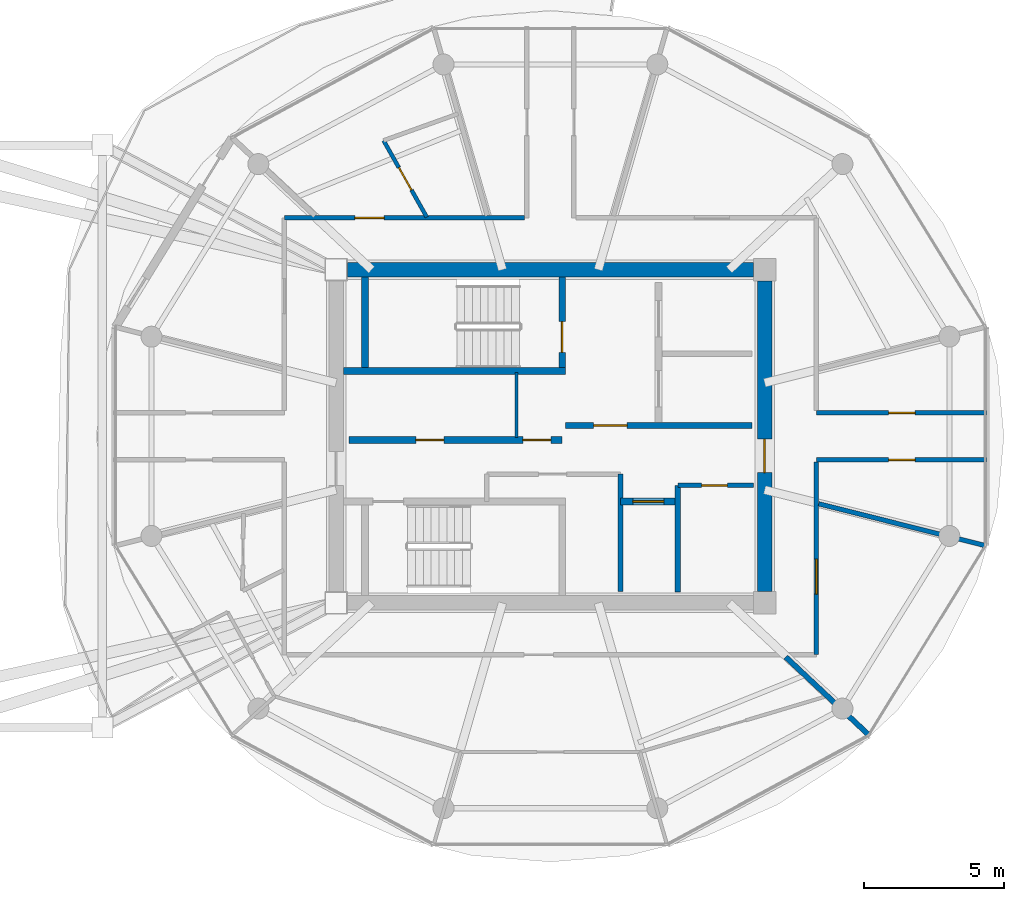
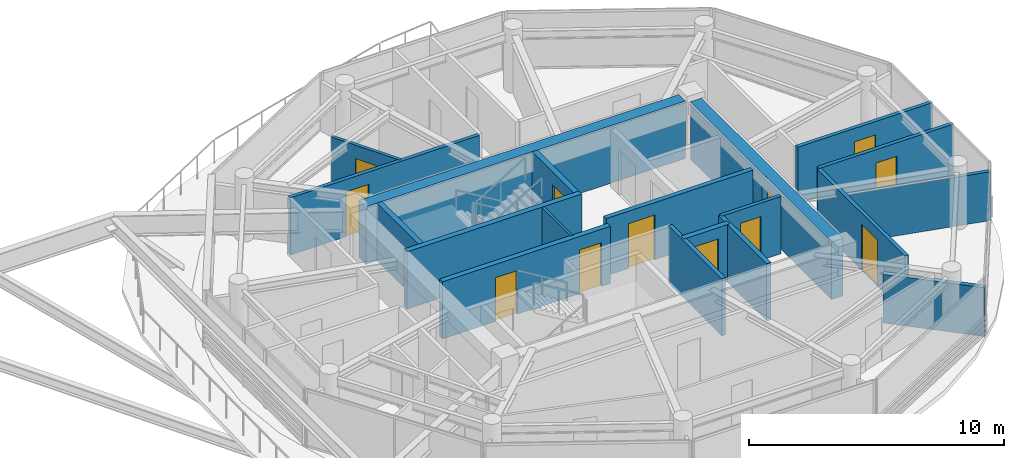
# One storey, part 17 of 23: 19 walls, 12 doors, 12 openings.
"""IFC4 building model written with IfcOpenShell, lengths in metres."""

from ifc_helpers import new_model, si_unit, direction, frame, frame_2d, origin, place, context, subcontext, project, spatial, rectangle, extrude, source, transform, mapped, material, layer, layer_set, type_object, type_shapes, element, fill, save


model = new_model("IFC4")

# Units and contexts
model_context = context("Model", 3, precision=1e-05, world=origin(), true_north=direction((0.0, 1.0)))
body_context = subcontext(model_context, "Body", "Model", "MODEL_VIEW")
ifc_project = project(units=[si_unit("LENGTHUNIT", "METRE"), si_unit("AREAUNIT", "SQUARE_METRE"), si_unit("VOLUMEUNIT", "CUBIC_METRE"), si_unit("PLANEANGLEUNIT", "RADIAN"), si_unit("MASSUNIT", "GRAM", prefix="KILO")], contexts=[model_context])

# Site, building, storey
site_placement = place(None, origin())
site = spatial("IfcSite", under=ifc_project, at=site_placement, CompositionType="ELEMENT")
building_placement = place(site_placement, origin())
building = spatial("IfcBuilding", under=site, at=building_placement, Name="Norrkilde Senior Care Towers", CompositionType="ELEMENT")
storey_placement = place(building_placement, frame((0.0, 0.0, 196.75)))
storey = spatial("IfcBuildingStorey", under=building, at=storey_placement, Name="L61", CompositionType="ELEMENT", Elevation=196.75)

# Wall
ifc_material_1 = material(Name="Concrete C50/60", Category="concrete")
ifc_layer_1 = layer(ifc_material_1, 0.52001953125)
ifc_layer_set_1 = layer_set([ifc_layer_1], Name="Concrete C50/60")
wall_type_1 = type_object("IfcWallType", Name="Core Shear Wall Z4 520", PredefinedType="SHEAR", material=ifc_layer_set_1)
shared_shape_1 = source(origin(), body_context, "Body", "SweptSolid", [
    extrude(rectangle(XDim=14.5, YDim=0.52001953125, at=frame_2d((7.25, 0.0))), origin(), (0.0, 0.0, 1.0), 2.760009765625),
])
wall_1_placement = place(storey_placement, frame((20.75, 5.949951171875, 0.0), z_axis=(0.0, 0.0, 1.0), x_axis=(1.0, 0.0, 0.0)))
element("IfcWall", 1, at=wall_1_placement, inside=storey, type_object=wall_type_1, Name="L61 Core E North Shear Wall", PredefinedType="SHEAR", context=body_context, shape_type="MappedRepresentation", body=[
    mapped(shared_shape_1, transform((0.0, 0.0, 0.0), x_axis=(1.0, 0.0, 0.0), y_axis=(0.0, 1.0, 0.0), z_axis=(0.0, 0.0, 1.0), scale=1.0)),
])

# Wall, opening, door
shared_shape_2 = source(origin(), body_context, "Body", "SweptSolid", [
    extrude(rectangle(XDim=11.10009765625, YDim=0.52001953125, at=frame_2d((5.550048828125, 0.0))), origin(), (0.0, 0.0, 1.0), 2.760009765625),
])
type_shapes(wall_type_1, [shared_shape_1, shared_shape_2])
wall_2_placement = place(storey_placement, frame((35.64990234375, 5.550048828125, 0.0), z_axis=(0.0, 0.0, 1.0), x_axis=(0.0, -1.0, 0.0)))
wall_2 = element("IfcWall", 2, at=wall_2_placement, inside=storey, type_object=wall_type_1, Name="L61 Core E East Shear Wall", PredefinedType="SHEAR", context=body_context, shape_type="MappedRepresentation", body=[
    mapped(shared_shape_2, transform((0.0, 0.0, 0.0), x_axis=(1.0, 0.0, 0.0), y_axis=(0.0, 1.0, 0.0), z_axis=(0.0, 0.0, 1.0), scale=1.0)),
])
opening_1_placement = place(wall_2_placement, frame((5.64990234375, 0.0, 0.0)))
opening_1 = element("IfcOpeningElement", 3, at=opening_1_placement, cuts=wall_2, Name="Opening D-04", PredefinedType="OPENING", context=body_context, shape_type="SweptSolid", body=[
    extrude(rectangle(XDim=1.199951171875, YDim=2.14990234375, at=frame_2d((0.60009765625, 1.074951171875))), frame((0.0, 0.27001953125, 0.0), z_axis=(0.0, -1.0, 0.0), x_axis=(1.0, 0.0, 0.0)), (0.0, 0.0, 1.0), 0.5400390625),
])
ifc_material_2 = material(Name="Galvanised Painted Steel", Category="steel")
door_type_1 = type_object("IfcDoorType", Name="Firefighting Lobby Fire Door 1200x2150", OperationType="NOTDEFINED", PredefinedType="DOOR", material=ifc_material_2)
shared_shape_3 = source(origin(), body_context, "Body", "SweptSolid", [
    extrude(rectangle(XDim=1.199951171875, YDim=2.14990234375, at=frame_2d((0.60009765625, 1.074951171875))), frame((0.0, 0.02490234375, 0.0), z_axis=(0.0, -1.0, 0.0), x_axis=(1.0, 0.0, 0.0)), (0.0, 0.0, 1.0), 0.050048828125),
])
type_shapes(door_type_1, [shared_shape_3])
door_1_placement = place(opening_1_placement, frame((1.199951171875, 0.0, 0.0), z_axis=(0.0, 0.0, 1.0), x_axis=(-1.0, 0.0, 0.0)))
door_1 = element("IfcDoor", 4, at=door_1_placement, inside=storey, type_object=door_type_1, Name="L61 Core E East Portal Door", OperationType="SINGLE_SWING_RIGHT", OverallHeight=2.14990234375, OverallWidth=1.199951171875, PredefinedType="DOOR", context=body_context, shape_type="MappedRepresentation", body=[
    mapped(shared_shape_3, transform((0.0, 0.0, 0.0), x_axis=(1.0, 0.0, 0.0), y_axis=(0.0, 1.0, 0.0), z_axis=(0.0, 0.0, 1.0), scale=1.0)),
])
fill(opening_1, door_1)

# Walls
ifc_material_3 = material(Name="Concrete C45/55", Category="concrete")
ifc_layer_2 = layer(ifc_material_3, 0.239990234375)
ifc_layer_set_2 = layer_set([ifc_layer_2], Name="Concrete C45/55")
wall_type_2 = type_object("IfcWallType", Name="Shaft and Stair Enclosure Wall 240", PredefinedType="PARTITIONING", material=ifc_layer_set_2)
shared_shape_4 = source(origin(), body_context, "Body", "SweptSolid", [
    extrude(rectangle(XDim=7.929931640625, YDim=0.239990234375, at=frame_2d((3.96484375, 0.0))), origin(), (0.0, 0.0, 1.0), 2.760009765625),
])
wall_3_placement = place(storey_placement, frame((20.610107421875, 2.330078125, 0.0), z_axis=(0.0, 0.0, 1.0), x_axis=(1.0, 0.0, 0.0)))
element("IfcWall", 5, at=wall_3_placement, inside=storey, type_object=wall_type_2, Name="WL-INT-L61-E-ST1S", PredefinedType="PARTITIONING", context=body_context, shape_type="MappedRepresentation", body=[
    mapped(shared_shape_4, transform((0.0, 0.0, 0.0), x_axis=(1.0, 0.0, 0.0), y_axis=(0.0, 1.0, 0.0), z_axis=(0.0, 0.0, 1.0), scale=1.0)),
])
shared_shape_5 = source(origin(), body_context, "Body", "SweptSolid", [
    extrude(rectangle(XDim=3.239990234375, YDim=0.239990234375, at=frame_2d((1.6201171875, 0.0))), origin(), (0.0, 0.0, 1.0), 2.760009765625),
])
type_shapes(wall_type_2, [shared_shape_4, shared_shape_5])
wall_4_placement = place(storey_placement, frame((21.3798828125, 2.449951171875, 0.0), z_axis=(0.0, 0.0, 1.0), x_axis=(0.0, 1.0, 0.0)))
element("IfcWall", 6, at=wall_4_placement, inside=storey, type_object=wall_type_2, Name="WL-INT-L61-E-ST1W", PredefinedType="PARTITIONING", context=body_context, shape_type="MappedRepresentation", body=[
    mapped(shared_shape_5, transform((0.0, 0.0, 0.0), x_axis=(1.0, 0.0, 0.0), y_axis=(0.0, 1.0, 0.0), z_axis=(0.0, 0.0, 1.0), scale=1.0)),
])

# Wall, opening, door
wall_5_placement = place(storey_placement, frame((28.419921875, 2.449951171875, 0.0), z_axis=(0.0, 0.0, 1.0), x_axis=(0.0, 1.0, 0.0)))
wall_5 = element("IfcWall", 7, at=wall_5_placement, inside=storey, type_object=wall_type_2, Name="WL-INT-L61-E-ST1E", PredefinedType="PARTITIONING", context=body_context, shape_type="MappedRepresentation", body=[
    mapped(shared_shape_5, transform((0.0, 0.0, 0.0), x_axis=(1.0, 0.0, 0.0), y_axis=(0.0, 1.0, 0.0), z_axis=(0.0, 0.0, 1.0), scale=1.0)),
])
opening_2_placement = place(wall_5_placement, frame((0.550048828125, 0.0, 0.0)))
opening_2 = element("IfcOpeningElement", 8, at=opening_2_placement, cuts=wall_5, Name="Opening D-03", PredefinedType="OPENING", context=body_context, shape_type="SweptSolid", body=[
    extrude(rectangle(XDim=1.10009765625, YDim=2.14990234375, at=frame_2d((0.550048828125, 1.074951171875))), frame((0.0, 0.1298828125, 0.0), z_axis=(0.0, -1.0, 0.0), x_axis=(1.0, 0.0, 0.0)), (0.0, 0.0, 1.0), 0.260009765625),
])
door_type_2 = type_object("IfcDoorType", Name="Stairwell Protected Fire Door 1100x2150", OperationType="NOTDEFINED", PredefinedType="DOOR", material=ifc_material_2)
shared_shape_6 = source(origin(), body_context, "Body", "SweptSolid", [
    extrude(rectangle(XDim=1.10009765625, YDim=2.14990234375, at=frame_2d((0.550048828125, 1.074951171875))), frame((0.0, 0.02490234375, 0.0), z_axis=(0.0, -1.0, 0.0), x_axis=(1.0, 0.0, 0.0)), (0.0, 0.0, 1.0), 0.050048828125),
])
type_shapes(door_type_2, [shared_shape_6])
door_2_placement = place(opening_2_placement, origin())
door_2 = element("IfcDoor", 9, at=door_2_placement, inside=storey, type_object=door_type_2, Name="L61 Stair E1 Fire Door", OperationType="SINGLE_SWING_LEFT", OverallHeight=2.14990234375, OverallWidth=1.10009765625, PredefinedType="DOOR", context=body_context, shape_type="MappedRepresentation", body=[
    mapped(shared_shape_6, transform((0.0, 0.0, 0.0), x_axis=(1.0, 0.0, 0.0), y_axis=(0.0, 1.0, 0.0), z_axis=(0.0, 0.0, 1.0), scale=1.0)),
])
fill(opening_2, door_2)

ifc_layer_3 = layer(ifc_material_3, 0.2099609375)
ifc_layer_set_3 = layer_set([ifc_layer_3], Name="Concrete C45/55")
wall_type_3 = type_object("IfcWallType", Name="Firefighting Lobby Wall 210", PredefinedType="PARTITIONING", material=ifc_layer_set_3)
shared_shape_7 = source(origin(), body_context, "Body", "SweptSolid", [
    extrude(rectangle(XDim=6.659912109375, YDim=0.2099609375, at=frame_2d((3.330078125, 0.0))), origin(), (0.0, 0.0, 1.0), 2.7451171875),
])
type_shapes(wall_type_3, [shared_shape_7])
wall_6_placement = place(storey_placement, frame((28.5400390625, 0.389892578125, 0.0), z_axis=(0.0, 0.0, 1.0), x_axis=(1.0, 0.0, 0.0)))
wall_6 = element("IfcWall", 10, at=wall_6_placement, inside=storey, type_object=wall_type_3, Name="WL-INT-L61-E-FFLS", PredefinedType="PARTITIONING", context=body_context, shape_type="MappedRepresentation", body=[
    mapped(shared_shape_7, transform((0.0, 0.0, 0.0), x_axis=(1.0, 0.0, 0.0), y_axis=(0.0, 1.0, 0.0), z_axis=(0.0, 0.0, 1.0), scale=1.0)),
])
opening_3_placement = place(wall_6_placement, frame((1.0, 0.0, 0.0)))
opening_3 = element("IfcOpeningElement", 11, at=opening_3_placement, cuts=wall_6, Name="Opening D-04", PredefinedType="OPENING", context=body_context, shape_type="SweptSolid", body=[
    extrude(rectangle(XDim=1.199951171875, YDim=2.14990234375, at=frame_2d((0.60009765625, 1.074951171875))), frame((0.0, 0.114990234375, 0.0), z_axis=(0.0, -1.0, 0.0), x_axis=(1.0, 0.0, 0.0)), (0.0, 0.0, 1.0), 0.22998046875),
])
door_3_placement = place(opening_3_placement, frame((1.199951171875, 0.0, 0.0), z_axis=(0.0, 0.0, 1.0), x_axis=(-1.0, 0.0, 0.0)))
door_3 = element("IfcDoor", 12, at=door_3_placement, inside=storey, type_object=door_type_1, Name="L61 Firefighting Lobby E Door", OperationType="SINGLE_SWING_LEFT", OverallHeight=2.14990234375, OverallWidth=1.199951171875, PredefinedType="DOOR", context=body_context, shape_type="MappedRepresentation", body=[
    mapped(shared_shape_3, transform((0.0, 0.0, 0.0), x_axis=(1.0, 0.0, 0.0), y_axis=(0.0, 1.0, 0.0), z_axis=(0.0, 0.0, 1.0), scale=1.0)),
])
fill(opening_3, door_3)

# Wall, openings, doors
ifc_layer_4 = layer(ifc_material_3, 0.239990234375)
ifc_layer_set_4 = layer_set([ifc_layer_4], Name="Concrete C45/55")
wall_type_4 = type_object("IfcWallType", Name="Lift and Plant Rated Enclosure Partition 240", PredefinedType="PARTITIONING", material=ifc_layer_set_4)
shared_shape_8 = source(origin(), body_context, "Body", "SweptSolid", [
    extrude(rectangle(XDim=7.619873046875, YDim=0.239990234375, at=frame_2d((3.81005859375, 0.0))), origin(), (0.0, 0.0, 1.0), 2.7451171875),
])
wall_7_placement = place(storey_placement, frame((20.800048828125, -0.1298828125, 0.0), z_axis=(0.0, 0.0, 1.0), x_axis=(1.0, 0.0, 0.0)))
wall_7 = element("IfcWall", 13, at=wall_7_placement, inside=storey, type_object=wall_type_4, Name="WL-INT-L61-E-PKAS", PredefinedType="PARTITIONING", context=body_context, shape_type="MappedRepresentation", body=[
    mapped(shared_shape_8, transform((0.0, 0.0, 0.0), x_axis=(1.0, 0.0, 0.0), y_axis=(0.0, 1.0, 0.0), z_axis=(0.0, 0.0, 1.0), scale=1.0)),
])
opening_4_placement = place(wall_7_placement, frame((6.219970703125, 0.0, 0.0)))
opening_4 = element("IfcOpeningElement", 14, at=opening_4_placement, cuts=wall_7, Name="Opening D-10", PredefinedType="OPENING", context=body_context, shape_type="SweptSolid", body=[
    extrude(rectangle(XDim=1.0, YDim=2.10009765625, at=frame_2d((0.5, 1.050048828125))), frame((0.0, 0.1298828125, 0.0), z_axis=(0.0, -1.0, 0.0), x_axis=(1.0, 0.0, 0.0)), (0.0, 0.0, 1.0), 0.260009765625),
])
opening_5_placement = place(wall_7_placement, frame((2.39990234375, 0.0, 0.0)))
opening_5 = element("IfcOpeningElement", 15, at=opening_5_placement, cuts=wall_7, Name="Opening D-10", PredefinedType="OPENING", context=body_context, shape_type="SweptSolid", body=[
    extrude(rectangle(XDim=1.0, YDim=2.10009765625, at=frame_2d((0.5, 1.050048828125))), frame((0.0, 0.1298828125, 0.0), z_axis=(0.0, -1.0, 0.0), x_axis=(1.0, 0.0, 0.0)), (0.0, 0.0, 1.0), 0.260009765625),
])
door_type_3 = type_object("IfcDoorType", Name="Plant and Riser Rated Door 1000x2100", OperationType="NOTDEFINED", PredefinedType="DOOR", material=ifc_material_2)
shared_shape_9 = source(origin(), body_context, "Body", "SweptSolid", [
    extrude(rectangle(XDim=1.0, YDim=2.10009765625, at=frame_2d((0.5, 1.050048828125))), frame((0.0, 0.02490234375, 0.0), z_axis=(0.0, -1.0, 0.0), x_axis=(1.0, 0.0, 0.0)), (0.0, 0.0, 1.0), 0.050048828125),
])
type_shapes(door_type_3, [shared_shape_9])
door_4_placement = place(opening_4_placement, frame((1.0, 0.0, 0.0), z_axis=(0.0, 0.0, 1.0), x_axis=(-1.0, 0.0, 0.0)))
door_4 = element("IfcDoor", 16, at=door_4_placement, inside=storey, type_object=door_type_3, Name="L61 Electrical Riser E Door", OperationType="SINGLE_SWING_LEFT", OverallHeight=2.10009765625, OverallWidth=1.0, PredefinedType="DOOR", context=body_context, shape_type="MappedRepresentation", body=[
    mapped(shared_shape_9, transform((0.0, 0.0, 0.0), x_axis=(1.0, 0.0, 0.0), y_axis=(0.0, 1.0, 0.0), z_axis=(0.0, 0.0, 1.0), scale=1.0)),
])
fill(opening_4, door_4)
door_5_placement = place(opening_5_placement, frame((1.0, 0.0, 0.0), z_axis=(0.0, 0.0, 1.0), x_axis=(-1.0, 0.0, 0.0)))
door_5 = element("IfcDoor", 17, at=door_5_placement, inside=storey, type_object=door_type_3, Name="L61 Clean Supply Store E Door", OperationType="SINGLE_SWING_LEFT", OverallHeight=2.10009765625, OverallWidth=1.0, PredefinedType="DOOR", context=body_context, shape_type="MappedRepresentation", body=[
    mapped(shared_shape_9, transform((0.0, 0.0, 0.0), x_axis=(1.0, 0.0, 0.0), y_axis=(0.0, 1.0, 0.0), z_axis=(0.0, 0.0, 1.0), scale=1.0)),
])
fill(opening_5, door_5)

# Walls
ifc_material_4 = material(Name="Gypsum Acoustic Board")
ifc_layer_5 = layer(ifc_material_4, 0.114990234375)
ifc_layer_set_5 = layer_set([ifc_layer_5], Name="Gypsum Acoustic Board")
wall_type_5 = type_object("IfcWallType", Name="Internal Room Partition 115", PredefinedType="PARTITIONING", material=ifc_layer_set_5)
shared_shape_10 = source(origin(), body_context, "Body", "SweptSolid", [
    extrude(rectangle(XDim=2.330078125, YDim=0.114990234375, at=frame_2d((1.1650390625, 0.0))), origin(), (0.0, 0.0, 1.0), 2.7451171875),
])
type_shapes(wall_type_5, [shared_shape_10])
wall_8_placement = place(storey_placement, frame((26.7900390625, -0.050048828125, 0.0), z_axis=(0.0, 0.0, 1.0), x_axis=(0.0, 1.0, 0.0)))
element("IfcWall", 18, at=wall_8_placement, inside=storey, type_object=wall_type_5, Name="WL-INT-L61-E-RISW", PredefinedType="PARTITIONING", context=body_context, shape_type="MappedRepresentation", body=[
    mapped(shared_shape_10, transform((0.0, 0.0, 0.0), x_axis=(1.0, 0.0, 0.0), y_axis=(0.0, 1.0, 0.0), z_axis=(0.0, 0.0, 1.0), scale=1.0)),
])
ifc_layer_6 = layer(ifc_material_3, 0.199951171875)
ifc_layer_set_6 = layer_set([ifc_layer_6], Name="Concrete C45/55")
wall_type_6 = type_object("IfcWallType", Name="Shaft Division and Plant Partition 200", PredefinedType="PARTITIONING", material=ifc_layer_set_6)
shared_shape_11 = source(origin(), body_context, "Body", "SweptSolid", [
    extrude(rectangle(XDim=3.800048828125, YDim=0.199951171875, at=frame_2d((1.89990234375, 0.0))), origin(), (0.0, 0.0, 1.0), 2.7451171875),
])
type_shapes(wall_type_6, [shared_shape_11])
wall_9_placement = place(storey_placement, frame((32.550048828125, -5.550048828125, 0.0), z_axis=(0.0, 0.0, 1.0), x_axis=(0.0, 1.0, 0.0)))
element("IfcWall", 19, at=wall_9_placement, inside=storey, type_object=wall_type_6, Name="WL-INT-L61-E-PKBE", PredefinedType="PARTITIONING", context=body_context, shape_type="MappedRepresentation", body=[
    mapped(shared_shape_11, transform((0.0, 0.0, 0.0), x_axis=(1.0, 0.0, 0.0), y_axis=(0.0, 1.0, 0.0), z_axis=(0.0, 0.0, 1.0), scale=1.0)),
])

# Wall, opening, door
shared_shape_12 = source(origin(), body_context, "Body", "SweptSolid", [
    extrude(rectangle(XDim=2.050048828125, YDim=0.239990234375, at=frame_2d((1.02490234375, 0.0))), origin(), (0.0, 0.0, 1.0), 2.7451171875),
])
type_shapes(wall_type_4, [shared_shape_8, shared_shape_12])
wall_10_placement = place(storey_placement, frame((30.5, -2.330078125, 0.0), z_axis=(0.0, 0.0, 1.0), x_axis=(1.0, 0.0, 0.0)))
wall_10 = element("IfcWall", 20, at=wall_10_placement, inside=storey, type_object=wall_type_4, Name="WL-INT-L61-E-PL4N", PredefinedType="PARTITIONING", context=body_context, shape_type="MappedRepresentation", body=[
    mapped(shared_shape_12, transform((0.0, 0.0, 0.0), x_axis=(1.0, 0.0, 0.0), y_axis=(0.0, 1.0, 0.0), z_axis=(0.0, 0.0, 1.0), scale=1.0)),
])
opening_6_placement = place(wall_10_placement, frame((0.449951171875, 0.0, 0.0)))
opening_6 = element("IfcOpeningElement", 21, at=opening_6_placement, cuts=wall_10, Name="Opening LD-01", PredefinedType="OPENING", context=body_context, shape_type="SweptSolid", body=[
    extrude(rectangle(XDim=1.10009765625, YDim=2.199951171875, at=frame_2d((0.550048828125, 1.10009765625))), frame((0.0, 0.1298828125, 0.0), z_axis=(0.0, -1.0, 0.0), x_axis=(1.0, 0.0, 0.0)), (0.0, 0.0, 1.0), 0.260009765625),
])
ifc_material_5 = material(Name="Stainless Steel", Category="steel")
door_type_4 = type_object("IfcDoorType", Name="Lift Landing Sliding Door 1100x2200", OperationType="NOTDEFINED", PredefinedType="DOOR", material=ifc_material_5)
shared_shape_13 = source(origin(), body_context, "Body", "SweptSolid", [
    extrude(rectangle(XDim=1.10009765625, YDim=2.199951171875, at=frame_2d((0.550048828125, 1.10009765625))), frame((0.0, 0.02490234375, 0.0), z_axis=(0.0, -1.0, 0.0), x_axis=(1.0, 0.0, 0.0)), (0.0, 0.0, 1.0), 0.050048828125),
])
type_shapes(door_type_4, [shared_shape_13])
door_6_placement = place(opening_6_placement, frame((1.10009765625, 0.0, 0.0), z_axis=(0.0, 0.0, 1.0), x_axis=(-1.0, 0.0, 0.0)))
door_6 = element("IfcDoor", 22, at=door_6_placement, inside=storey, type_object=door_type_4, Name="L61 Passenger Lift E4 Landing Door", OperationType="SLIDING_TO_RIGHT", OverallHeight=2.199951171875, OverallWidth=1.10009765625, PredefinedType="DOOR", context=body_context, shape_type="MappedRepresentation", body=[
    mapped(shared_shape_13, transform((0.0, 0.0, 0.0), x_axis=(1.0, 0.0, 0.0), y_axis=(0.0, 1.0, 0.0), z_axis=(0.0, 0.0, 1.0), scale=1.0)),
])
fill(opening_6, door_6)

# Wall
ifc_layer_7 = layer(ifc_material_3, 0.179931640625)
ifc_layer_set_7 = layer_set([ifc_layer_7], Name="Concrete C45/55")
wall_type_7 = type_object("IfcWallType", Name="Hoistway Division Rated Partition 180", PredefinedType="PARTITIONING", material=ifc_layer_set_7)
shared_shape_14 = source(origin(), body_context, "Body", "SweptSolid", [
    extrude(rectangle(XDim=4.199951171875, YDim=0.179931640625, at=frame_2d((2.10009765625, 0.0))), origin(), (0.0, 0.0, 1.0), 2.7451171875),
])
type_shapes(wall_type_7, [shared_shape_14])
wall_11_placement = place(storey_placement, frame((30.5, -5.550048828125, 0.0), z_axis=(0.0, 0.0, 1.0), x_axis=(0.0, 1.0, 0.0)))
element("IfcWall", 23, at=wall_11_placement, inside=storey, type_object=wall_type_7, Name="WL-INT-L61-E-PL4W", PredefinedType="PARTITIONING", context=body_context, shape_type="MappedRepresentation", body=[
    mapped(shared_shape_14, transform((0.0, 0.0, 0.0), x_axis=(1.0, 0.0, 0.0), y_axis=(0.0, 1.0, 0.0), z_axis=(0.0, 0.0, 1.0), scale=1.0)),
])

# Wall, opening, door
ifc_layer_8 = layer(ifc_material_4, 0.1650390625)
ifc_layer_set_8 = layer_set([ifc_layer_8], Name="Gypsum Acoustic Board")
wall_type_8 = type_object("IfcWallType", Name="Corridor Rated Partition 165", PredefinedType="PARTITIONING", material=ifc_layer_set_8)
shared_shape_15 = source(origin(), body_context, "Body", "SweptSolid", [
    extrude(rectangle(XDim=2.699951171875, YDim=0.1650390625, at=frame_2d((1.35009765625, 0.0))), origin(), (0.0, 0.0, 1.0), 2.7451171875),
])
wall_12_placement = place(storey_placement, frame((32.550048828125, -1.75, 0.0), z_axis=(0.0, 0.0, 1.0), x_axis=(1.0, 0.0, 0.0)))
wall_12 = element("IfcWall", 24, at=wall_12_placement, inside=storey, type_object=wall_type_8, Name="WL-INT-L61-E-CSN", PredefinedType="PARTITIONING", context=body_context, shape_type="MappedRepresentation", body=[
    mapped(shared_shape_15, transform((0.0, 0.0, 0.0), x_axis=(1.0, 0.0, 0.0), y_axis=(0.0, 1.0, 0.0), z_axis=(0.0, 0.0, 1.0), scale=1.0)),
])
opening_7_placement = place(wall_12_placement, frame((0.85009765625, 0.0, 0.0)))
opening_7 = element("IfcOpeningElement", 25, at=opening_7_placement, cuts=wall_12, Name="Opening D-12", PredefinedType="OPENING", context=body_context, shape_type="SweptSolid", body=[
    extrude(rectangle(XDim=0.925048828125, YDim=2.10009765625, at=frame_2d((0.46240234375, 1.050048828125))), frame((0.0, 0.092529296875, 0.0), z_axis=(0.0, -1.0, 0.0), x_axis=(1.0, 0.0, 0.0)), (0.0, 0.0, 1.0), 0.18505859375),
])
door_type_5 = type_object("IfcDoorType", Name="Core Wet Room Rated Door 925x2100", OperationType="NOTDEFINED", PredefinedType="DOOR", material=ifc_material_2)
shared_shape_16 = source(origin(), body_context, "Body", "SweptSolid", [
    extrude(rectangle(XDim=0.925048828125, YDim=2.10009765625, at=frame_2d((0.46240234375, 1.050048828125))), frame((0.0, 0.02490234375, 0.0), z_axis=(0.0, -1.0, 0.0), x_axis=(1.0, 0.0, 0.0)), (0.0, 0.0, 1.0), 0.050048828125),
])
type_shapes(door_type_5, [shared_shape_16])
door_7_placement = place(opening_7_placement, origin())
door_7 = element("IfcDoor", 26, at=door_7_placement, inside=storey, type_object=door_type_5, Name="L61 Core Utility E Door", OperationType="SINGLE_SWING_LEFT", OverallHeight=2.10009765625, OverallWidth=0.925048828125, PredefinedType="DOOR", context=body_context, shape_type="MappedRepresentation", body=[
    mapped(shared_shape_16, transform((0.0, 0.0, 0.0), x_axis=(1.0, 0.0, 0.0), y_axis=(0.0, 1.0, 0.0), z_axis=(0.0, 0.0, 1.0), scale=1.0)),
])
fill(opening_7, door_7)

shared_shape_17 = source(origin(), body_context, "Body", "SweptSolid", [
    extrude(rectangle(XDim=8.580078125, YDim=0.1650390625, at=frame_2d((4.2900390625, 0.0))), origin(), (0.0, 0.0, 1.0), 2.7451171875),
])
wall_13_placement = place(storey_placement, frame((18.5, 7.800048828125, 0.0), z_axis=(0.0, 0.0, 1.0), x_axis=(1.0, 0.0, 0.0)))
wall_13 = element("IfcWall", 27, at=wall_13_placement, inside=storey, type_object=wall_type_8, Name="WL-INT-L61-E-CRW-N-0", PredefinedType="PARTITIONING", context=body_context, shape_type="MappedRepresentation", body=[
    mapped(shared_shape_17, transform((0.0, 0.0, 0.0), x_axis=(1.0, 0.0, 0.0), y_axis=(0.0, 1.0, 0.0), z_axis=(0.0, 0.0, 1.0), scale=1.0)),
])
opening_8_placement = place(wall_13_placement, frame((2.5146484375, 0.0, 0.0)))
opening_8 = element("IfcOpeningElement", 28, at=opening_8_placement, cuts=wall_13, Name="Opening D-06", PredefinedType="OPENING", context=body_context, shape_type="SweptSolid", body=[
    extrude(rectangle(XDim=1.050048828125, YDim=2.14990234375, at=frame_2d((0.52490234375, 1.074951171875))), frame((0.0, 0.092529296875, 0.0), z_axis=(0.0, -1.0, 0.0), x_axis=(1.0, 0.0, 0.0)), (0.0, 0.0, 1.0), 0.18505859375),
])
ifc_material_6 = material(Name="Nordic Ash Timber", Category="wood")
door_type_6 = type_object("IfcDoorType", Name="Apartment Entrance Fire Door 1050x2150", OperationType="NOTDEFINED", PredefinedType="DOOR", material=ifc_material_6)
shared_shape_18 = source(origin(), body_context, "Body", "SweptSolid", [
    extrude(rectangle(XDim=1.050048828125, YDim=2.14990234375, at=frame_2d((0.52490234375, 1.074951171875))), frame((0.0, 0.02490234375, 0.0), z_axis=(0.0, -1.0, 0.0), x_axis=(1.0, 0.0, 0.0)), (0.0, 0.0, 1.0), 0.050048828125),
])
type_shapes(door_type_6, [shared_shape_18])
door_8_placement = place(opening_8_placement, frame((1.050048828125, 0.0, 0.0), z_axis=(0.0, 0.0, 1.0), x_axis=(-1.0, 0.0, 0.0)))
door_8 = element("IfcDoor", 29, at=door_8_placement, inside=storey, type_object=door_type_6, Name="L61 Studio 61B Entrance Door", OperationType="SINGLE_SWING_RIGHT", OverallHeight=2.14990234375, OverallWidth=1.050048828125, PredefinedType="DOOR", context=body_context, shape_type="MappedRepresentation", body=[
    mapped(shared_shape_18, transform((0.0, 0.0, 0.0), x_axis=(1.0, 0.0, 0.0), y_axis=(0.0, 1.0, 0.0), z_axis=(0.0, 0.0, 1.0), scale=1.0)),
])
fill(opening_8, door_8)

shared_shape_19 = source(origin(), body_context, "Body", "SweptSolid", [
    extrude(rectangle(XDim=6.880126953125, YDim=0.1650390625, at=frame_2d((3.43994140625, 0.0))), origin(), (0.0, 0.0, 1.0), 2.7451171875),
])
wall_14_placement = place(storey_placement, frame((37.5, -0.919921875, 0.0), z_axis=(0.0, 0.0, 1.0), x_axis=(0.0, -1.0, 0.0)))
wall_14 = element("IfcWall", 30, at=wall_14_placement, inside=storey, type_object=wall_type_8, Name="WL-INT-L61-E-CRW-E-1", PredefinedType="PARTITIONING", context=body_context, shape_type="MappedRepresentation", body=[
    mapped(shared_shape_19, transform((0.0, 0.0, 0.0), x_axis=(1.0, 0.0, 0.0), y_axis=(0.0, 1.0, 0.0), z_axis=(0.0, 0.0, 1.0), scale=1.0)),
])
opening_9_placement = place(wall_14_placement, frame((3.46435546875, 0.0, 0.0)))
opening_9 = element("IfcOpeningElement", 31, at=opening_9_placement, cuts=wall_14, Name="Opening D-05", PredefinedType="OPENING", context=body_context, shape_type="SweptSolid", body=[
    extrude(rectangle(XDim=1.25, YDim=2.199951171875, at=frame_2d((0.625, 1.10009765625))), frame((0.0, 0.092529296875, 0.0), z_axis=(0.0, -1.0, 0.0), x_axis=(1.0, 0.0, 0.0)), (0.0, 0.0, 1.0), 0.18505859375),
])
door_type_7 = type_object("IfcDoorType", Name="Care Bedroom Bariatric Door 1250x2200", OperationType="NOTDEFINED", PredefinedType="DOOR", material=ifc_material_6)
shared_shape_20 = source(origin(), body_context, "Body", "SweptSolid", [
    extrude(rectangle(XDim=1.25, YDim=2.199951171875, at=frame_2d((0.625, 1.10009765625))), frame((0.0, 0.02490234375, 0.0), z_axis=(0.0, -1.0, 0.0), x_axis=(1.0, 0.0, 0.0)), (0.0, 0.0, 1.0), 0.050048828125),
])
type_shapes(door_type_7, [shared_shape_20])
door_9_placement = place(opening_9_placement, frame((1.25, 0.0, 0.0), z_axis=(0.0, 0.0, 1.0), x_axis=(-1.0, 0.0, 0.0)))
door_9 = element("IfcDoor", 32, at=door_9_placement, inside=storey, type_object=door_type_7, Name="L61 Care Coordination Charting Office Door", OperationType="SINGLE_SWING_LEFT", OverallHeight=2.199951171875, OverallWidth=1.25, PredefinedType="DOOR", context=body_context, shape_type="MappedRepresentation", body=[
    mapped(shared_shape_20, transform((0.0, 0.0, 0.0), x_axis=(1.0, 0.0, 0.0), y_axis=(0.0, 1.0, 0.0), z_axis=(0.0, 0.0, 1.0), scale=1.0)),
])
fill(opening_9, door_9)

# Wall
shared_shape_21 = source(origin(), body_context, "Body", "SweptSolid", [
    extrude(rectangle(XDim=6.1572265625, YDim=0.1650390625, at=frame_2d((3.07861328125, 0.0))), origin(), (0.0, 0.0, 1.0), 2.344970703125),
])
wall_15_placement = place(storey_placement, frame((37.580078125, -2.407470703125, 0.0), z_axis=(0.0, 0.0, 1.0), x_axis=(0.969840867184, -0.243738984038, 0.0)))
element("IfcWall", 33, at=wall_15_placement, inside=storey, type_object=wall_type_8, Name="WL-INT-L61-E-DEM-11-0", PredefinedType="PARTITIONING", context=body_context, shape_type="MappedRepresentation", body=[
    mapped(shared_shape_21, transform((0.0, 0.0, 0.0), x_axis=(1.0, 0.0, 0.0), y_axis=(0.0, 1.0, 0.0), z_axis=(0.0, 0.0, 1.0), scale=1.0)),
])

# Wall, opening, door
shared_shape_22 = source(origin(), body_context, "Body", "SweptSolid", [
    extrude(rectangle(XDim=6.101318359375, YDim=0.1650390625, at=frame_2d((3.05078125, 0.0))), origin(), (0.0, 0.0, 1.0), 2.7451171875),
])
type_shapes(wall_type_8, [shared_shape_15, shared_shape_17, shared_shape_19, shared_shape_21, shared_shape_22])
wall_16_placement = place(storey_placement, frame((37.5, 0.840087890625, 0.0), z_axis=(0.0, 0.0, 1.0), x_axis=(1.0, 0.0, 0.0)))
wall_16 = element("IfcWall", 34, at=wall_16_placement, inside=storey, type_object=wall_type_8, Name="WL-INT-L61-E-SPK-E1-0", PredefinedType="PARTITIONING", context=body_context, shape_type="MappedRepresentation", body=[
    mapped(shared_shape_22, transform((0.0, 0.0, 0.0), x_axis=(1.0, 0.0, 0.0), y_axis=(0.0, 1.0, 0.0), z_axis=(0.0, 0.0, 1.0), scale=1.0)),
])
opening_10_placement = place(wall_16_placement, frame((2.57568359375, 0.0, 0.0)))
opening_10 = element("IfcOpeningElement", 35, at=opening_10_placement, cuts=wall_16, Name="Opening D-07", PredefinedType="OPENING", context=body_context, shape_type="SweptSolid", body=[
    extrude(rectangle(XDim=0.949951171875, YDim=2.10009765625, at=frame_2d((0.47509765625, 1.050048828125))), frame((0.0, 0.092529296875, 0.0), z_axis=(0.0, -1.0, 0.0), x_axis=(1.0, 0.0, 0.0)), (0.0, 0.0, 1.0), 0.18505859375),
])
door_type_8 = type_object("IfcDoorType", Name="Internal Suite Bedroom Door 950x2100", OperationType="NOTDEFINED", PredefinedType="DOOR", material=ifc_material_6)
shared_shape_23 = source(origin(), body_context, "Body", "SweptSolid", [
    extrude(rectangle(XDim=0.949951171875, YDim=2.10009765625, at=frame_2d((0.47509765625, 1.050048828125))), frame((0.0, 0.02490234375, 0.0), z_axis=(0.0, -1.0, 0.0), x_axis=(1.0, 0.0, 0.0)), (0.0, 0.0, 1.0), 0.050048828125),
])
type_shapes(door_type_8, [shared_shape_23])
door_10_placement = place(opening_10_placement, frame((0.949951171875, 0.0, 0.0), z_axis=(0.0, 0.0, 1.0), x_axis=(-1.0, 0.0, 0.0)))
door_10 = element("IfcDoor", 36, at=door_10_placement, inside=storey, type_object=door_type_8, Name="L61 Sun Reading Lounge 6 Door", OperationType="SINGLE_SWING_LEFT", OverallHeight=2.10009765625, OverallWidth=0.949951171875, PredefinedType="DOOR", context=body_context, shape_type="MappedRepresentation", body=[
    mapped(shared_shape_23, transform((0.0, 0.0, 0.0), x_axis=(1.0, 0.0, 0.0), y_axis=(0.0, 1.0, 0.0), z_axis=(0.0, 0.0, 1.0), scale=1.0)),
])
fill(opening_10, door_10)

wall_17_placement = place(storey_placement, frame((43.601318359375, -0.840087890625, 0.0), z_axis=(0.0, 0.0, 1.0), x_axis=(-1.0, 0.0, 0.0)))
wall_17 = element("IfcWall", 37, at=wall_17_placement, inside=storey, type_object=wall_type_8, Name="WL-INT-L61-E-SPK-E2-0", PredefinedType="PARTITIONING", context=body_context, shape_type="MappedRepresentation", body=[
    mapped(shared_shape_22, transform((0.0, 0.0, 0.0), x_axis=(1.0, 0.0, 0.0), y_axis=(0.0, 1.0, 0.0), z_axis=(0.0, 0.0, 1.0), scale=1.0)),
])
opening_11_placement = place(wall_17_placement, frame((2.57568359375, 0.0, 0.0)))
opening_11 = element("IfcOpeningElement", 38, at=opening_11_placement, cuts=wall_17, Name="Opening D-07", PredefinedType="OPENING", context=body_context, shape_type="SweptSolid", body=[
    extrude(rectangle(XDim=0.949951171875, YDim=2.10009765625, at=frame_2d((0.47509765625, 1.050048828125))), frame((0.0, 0.092529296875, 0.0), z_axis=(0.0, -1.0, 0.0), x_axis=(1.0, 0.0, 0.0)), (0.0, 0.0, 1.0), 0.18505859375),
])
door_11_placement = place(opening_11_placement, frame((0.949951171875, 0.0, 0.0), z_axis=(0.0, 0.0, 1.0), x_axis=(-1.0, 0.0, 0.0)))
door_11 = element("IfcDoor", 39, at=door_11_placement, inside=storey, type_object=door_type_8, Name="L61 Sun Reading Lounge 5 Door", OperationType="SINGLE_SWING_RIGHT", OverallHeight=2.10009765625, OverallWidth=0.949951171875, PredefinedType="DOOR", context=body_context, shape_type="MappedRepresentation", body=[
    mapped(shared_shape_23, transform((0.0, 0.0, 0.0), x_axis=(1.0, 0.0, 0.0), y_axis=(0.0, 1.0, 0.0), z_axis=(0.0, 0.0, 1.0), scale=1.0)),
])
fill(opening_11, door_11)

# Wall
ifc_layer_9 = layer(ifc_material_4, 0.18994140625)
ifc_layer_set_9 = layer_set([ifc_layer_9], Name="Gypsum Acoustic Board")
wall_type_9 = type_object("IfcWallType", Name="Unit Demising Acoustic Wall 190", PredefinedType="PARTITIONING", material=ifc_layer_set_9)
shared_shape_24 = source(origin(), body_context, "Body", "SweptSolid", [
    extrude(rectangle(XDim=4.089111328125, YDim=0.18994140625, at=frame_2d((2.04443359375, 0.0))), origin(), (0.0, 0.0, 1.0), 2.344970703125),
])
type_shapes(wall_type_9, [shared_shape_24])
wall_18_placement = place(storey_placement, frame((36.40185546875, -7.8798828125, 0.0), z_axis=(0.0, 0.0, 1.0), x_axis=(0.729401273609, -0.684086092577, 0.0)))
element("IfcWall", 40, at=wall_18_placement, inside=storey, type_object=wall_type_9, Name="WL-INT-L61-E-DEM-10-0", PredefinedType="PARTITIONING", context=body_context, shape_type="MappedRepresentation", body=[
    mapped(shared_shape_24, transform((0.0, 0.0, 0.0), x_axis=(1.0, 0.0, 0.0), y_axis=(0.0, 1.0, 0.0), z_axis=(0.0, 0.0, 1.0), scale=1.0)),
])

# Wall, opening, door
ifc_layer_10 = layer(ifc_material_4, 0.139892578125)
ifc_layer_set_10 = layer_set([ifc_layer_10], Name="Gypsum Acoustic Board")
wall_type_10 = type_object("IfcWallType", Name="En-suite Wet Room Wall 140", PredefinedType="PARTITIONING", material=ifc_layer_set_10)
shared_shape_25 = source(origin(), body_context, "Body", "SweptSolid", [
    extrude(rectangle(XDim=3.14013671875, YDim=0.139892578125, at=frame_2d((1.570068359375, 0.0))), origin(), (0.0, 0.0, 1.0), 2.7451171875),
])
type_shapes(wall_type_10, [shared_shape_25])
wall_19_placement = place(storey_placement, frame((23.5849609375, 7.830078125, 0.0), z_axis=(0.0, 0.0, 1.0), x_axis=(-0.491132137966, 0.871085083707, 0.0)))
wall_19 = element("IfcWall", 41, at=wall_19_placement, inside=storey, type_object=wall_type_10, Name="WL-INT-L61-E-ES-03", PredefinedType="PARTITIONING", context=body_context, shape_type="MappedRepresentation", body=[
    mapped(shared_shape_25, transform((0.0, 0.0, 0.0), x_axis=(1.0, 0.0, 0.0), y_axis=(0.0, 1.0, 0.0), z_axis=(0.0, 0.0, 1.0), scale=1.0)),
])
opening_12_placement = place(wall_19_placement, frame((1.110107421875, 0.0, 0.0)))
opening_12 = element("IfcOpeningElement", 42, at=opening_12_placement, cuts=wall_19, Name="Opening D-08", PredefinedType="OPENING", context=body_context, shape_type="SweptSolid", body=[
    extrude(rectangle(XDim=0.919921875, YDim=2.10009765625, at=frame_2d((0.4599609375, 1.050048828125))), frame((0.0, 0.079833984375, 0.0), z_axis=(0.0, -1.0, 0.0), x_axis=(1.0, 0.0, 0.0)), (0.0, 0.0, 1.0), 0.159912109375),
])
door_type_9 = type_object("IfcDoorType", Name="Accessible Wet Room Door 920x2100", OperationType="NOTDEFINED", PredefinedType="DOOR", material=ifc_material_6)
shared_shape_26 = source(origin(), body_context, "Body", "SweptSolid", [
    extrude(rectangle(XDim=0.919921875, YDim=2.10009765625, at=frame_2d((0.4599609375, 1.050048828125))), frame((0.0, 0.02490234375, 0.0), z_axis=(0.0, -1.0, 0.0), x_axis=(1.0, 0.0, 0.0)), (0.0, 0.0, 1.0), 0.050048828125),
])
type_shapes(door_type_9, [shared_shape_26])
door_12_placement = place(opening_12_placement, origin())
door_12 = element("IfcDoor", 43, at=door_12_placement, inside=storey, type_object=door_type_9, Name="L61 Studio 61B Bathroom Door", OperationType="SINGLE_SWING_LEFT", OverallHeight=2.10009765625, OverallWidth=0.919921875, PredefinedType="DOOR", context=body_context, shape_type="MappedRepresentation", body=[
    mapped(shared_shape_26, transform((0.0, 0.0, 0.0), x_axis=(1.0, 0.0, 0.0), y_axis=(0.0, 1.0, 0.0), z_axis=(0.0, 0.0, 1.0), scale=1.0)),
])
fill(opening_12, door_12)

save(model, "model.ifc")
